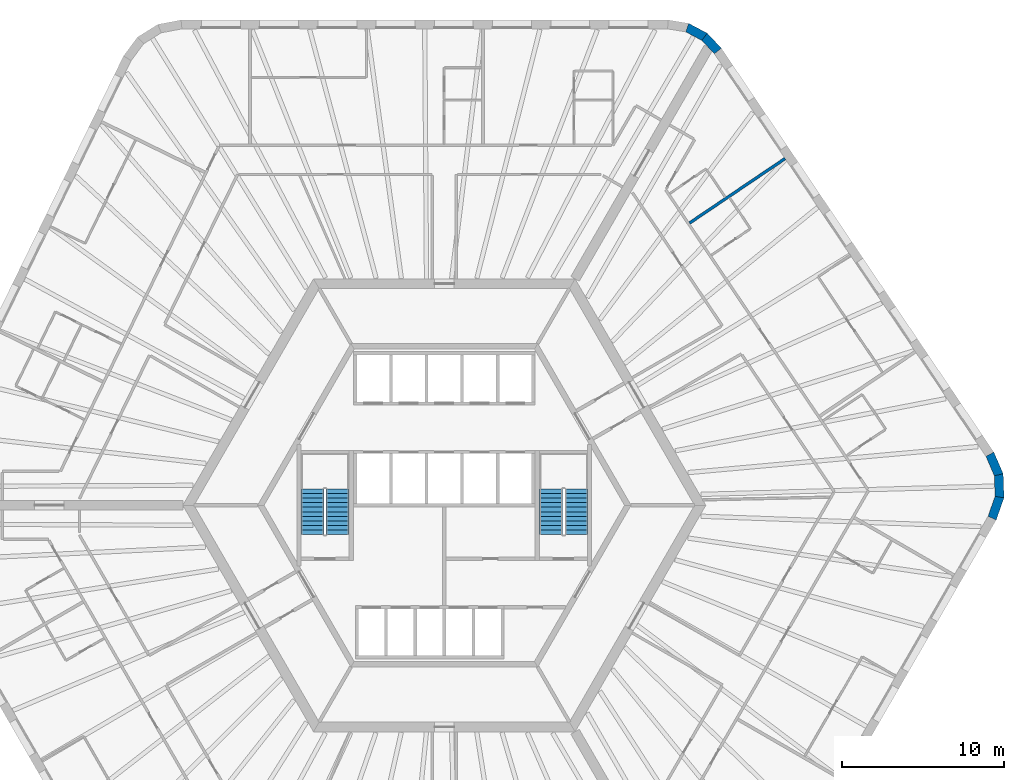
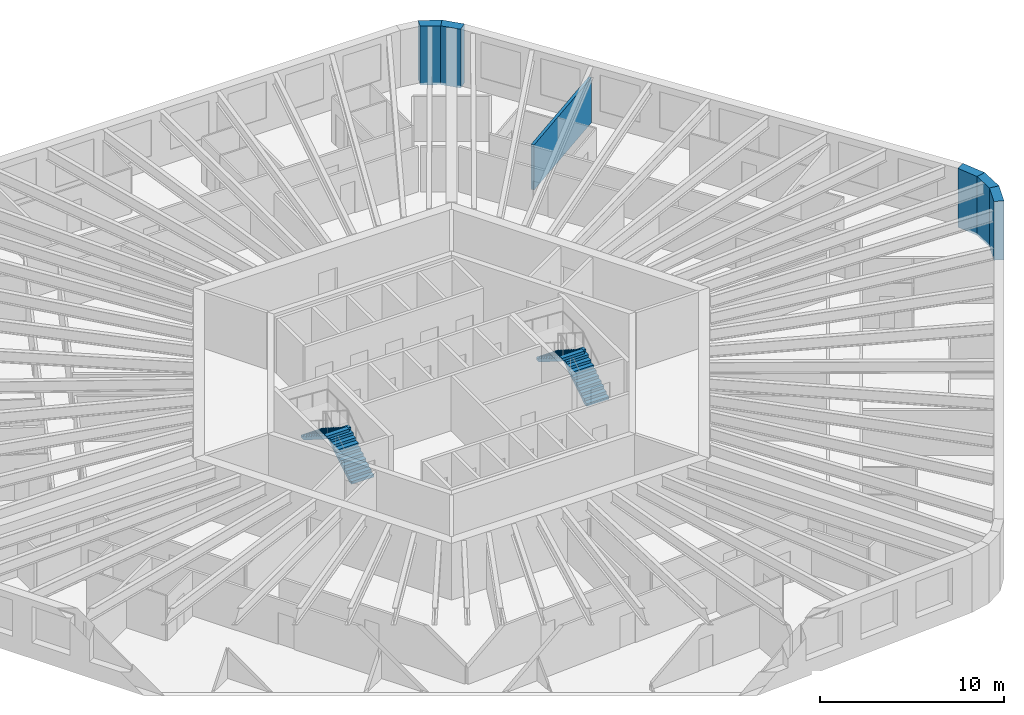
# One storey, part 11 of 12: 6 walls, 4 stair flights, 2 elements without a shape of their own.
"""IFC4 building model written with IfcOpenShell, lengths in metres."""

from ifc_helpers import new_model, si_unit, direction, frame, frame_2d, origin, place, context, subcontext, project, spatial, polyline, rectangle, outline, extrude, material, layer, layer_set, type_object, element, aggregate, save


model = new_model("IFC4")

# Units and contexts
model_context = context("Model", 3, precision=1e-05, world=origin(), true_north=direction((0.0, 1.0)))
body_context = subcontext(model_context, "Body", "Model", "MODEL_VIEW")
ifc_project = project(units=[si_unit("LENGTHUNIT", "METRE"), si_unit("AREAUNIT", "SQUARE_METRE"), si_unit("VOLUMEUNIT", "CUBIC_METRE"), si_unit("PLANEANGLEUNIT", "RADIAN"), si_unit("MASSUNIT", "GRAM", prefix="KILO")], contexts=[model_context])

# Site, building, storey
site_placement = place(None, origin())
site = spatial("IfcSite", under=ifc_project, at=site_placement, CompositionType="ELEMENT")
building_placement = place(site_placement, origin())
building = spatial("IfcBuilding", under=site, at=building_placement, Name="Tarnside Tower", CompositionType="ELEMENT")
storey_placement = place(building_placement, frame((0.0, 0.0, 96.0)))
storey = spatial("IfcBuildingStorey", under=building, at=storey_placement, Name="L21", CompositionType="ELEMENT", Elevation=96.0)

# Walls
ifc_material_1 = material(Name="Gypsum board partition on steel studs", Category="steel")
ifc_layer_1 = layer(ifc_material_1, 0.179931640625)
ifc_layer_set_1 = layer_set([ifc_layer_1], Name="Demising wall 180 EI 60")
wall_type_1 = type_object("IfcWallType", Name="Demising wall 180 EI 60", PredefinedType="PARTITIONING", material=ifc_layer_set_1)
wall_1_placement = place(storey_placement, frame((21.066162109375, 21.433349609375, 0.0), z_axis=(0.0, 0.0, 1.0), x_axis=(-0.829022625118, -0.559215063318, 0.0)))
element("IfcWall", 1, at=wall_1_placement, inside=storey, type_object=wall_type_1, Name="Demising wall 06158", PredefinedType="PARTITIONING", context=body_context, shape_type="SweptSolid", body=[
    extrude(rectangle(XDim=7.125, YDim=0.179931640625, at=frame_2d((3.5625, 0.0))), origin(), (0.0, 0.0, 1.0), 2.98779296875),
])
ifc_material_2 = material(Name="Facing brick", Category="masonry")
ifc_layer_2 = layer(ifc_material_2, 0.10205078125)
ifc_material_3 = material(Name="Concrete C60/75 precast", Category="concrete")
ifc_layer_3 = layer(ifc_material_3, 0.347900390625)
ifc_material_4 = material(Name="Mineral wool insulation")
ifc_layer_4 = layer(ifc_material_4, 0.10009765625)
ifc_layer_set_2 = layer_set([ifc_layer_2, ifc_layer_3, ifc_layer_4], Name="Tube wall 550 brick faced")
wall_type_2 = type_object("IfcWallType", Name="Tube wall 550 brick faced", PredefinedType="SOLIDWALL", material=ifc_layer_set_2)
wall_2_placement = place(storey_placement, frame((33.865966796875, -0.79248046875, -0.14990234375), z_axis=(0.0, 0.0, 1.0), x_axis=(0.33111537203, 0.943590276765, 0.0)))
element("IfcWall", 2, at=wall_2_placement, inside=storey, type_object=wall_type_2, Name="Tube wall L21 F5 chord 17", PredefinedType="SOLIDWALL", context=body_context, shape_type="SweptSolid", body=[
    extrude(outline(polyline([(-0.025634765625, -0.27490234375), (1.4306640625, -0.27490234375), (1.3271484375, 0.27490234375), (0.025634765625, 0.27490234375), (-0.025634765625, -0.27490234375)])), origin(), (0.0, 0.0, 1.0), 3.89990234375),
])
wall_3_placement = place(storey_placement, frame((34.322509765625, 0.508544921875, -0.14990234375), z_axis=(0.0, 0.0, 1.0), x_axis=(-0.034876908462, 0.999391615562, 0.0)))
element("IfcWall", 3, at=wall_3_placement, inside=storey, type_object=wall_type_2, Name="Tube wall L21 F5 chord 18", PredefinedType="SOLIDWALL", context=body_context, shape_type="SweptSolid", body=[
    extrude(outline(polyline([(-0.0517578125, -0.27490234375), (1.4306640625, -0.27490234375), (1.3271484375, 0.27490234375), (0.0517578125, 0.27490234375), (-0.0517578125, -0.27490234375)])), origin(), (0.0, 0.0, 1.0), 3.89990234375),
])
wall_4_placement = place(storey_placement, frame((34.2744140625, 1.88671875, -0.14990234375), z_axis=(0.0, 0.0, 1.0), x_axis=(-0.396161342798, 0.918180913803, 0.0)))
element("IfcWall", 4, at=wall_4_placement, inside=storey, type_object=wall_type_2, Name="Tube wall L21 F5 chord 19", PredefinedType="SOLIDWALL", context=body_context, shape_type="SweptSolid", body=[
    extrude(outline(polyline([(-0.0517578125, -0.27490234375), (1.40478515625, -0.27490234375), (1.353515625, 0.27490234375), (0.0517578125, 0.27490234375), (-0.0517578125, -0.27490234375)])), origin(), (0.0, 0.0, 1.0), 3.89990234375),
])
wall_5_placement = place(storey_placement, frame((16.91259765625, 28.0830078125, -0.14990234375), z_axis=(0.0, 0.0, 1.0), x_axis=(-0.686196220404, 0.727416488061, 0.0)))
element("IfcWall", 5, at=wall_5_placement, inside=storey, type_object=wall_type_2, Name="Tube wall L21 F6 chord 21", PredefinedType="SOLIDWALL", context=body_context, shape_type="SweptSolid", body=[
    extrude(outline(polyline([(-0.0224609375, -0.27490234375), (1.25341796875, -0.27490234375), (1.1630859375, 0.27490234375), (0.0224609375, 0.27490234375), (-0.0224609375, -0.27490234375)])), origin(), (0.0, 0.0, 1.0), 3.89990234375),
])
wall_6_placement = place(storey_placement, frame((16.08349609375, 28.9619140625, -0.14990234375), z_axis=(0.0, 0.0, 1.0), x_axis=(-0.882995347911, 0.469381737574, 0.0)))
element("IfcWall", 6, at=wall_6_placement, inside=storey, type_object=wall_type_2, Name="Tube wall L21 F6 chord 22", PredefinedType="SOLIDWALL", context=body_context, shape_type="SweptSolid", body=[
    extrude(outline(polyline([(-0.045166015625, -0.27490234375), (1.25341796875, -0.27490234375), (1.1630859375, 0.27490234375), (0.045166015625, 0.27490234375), (-0.045166015625, -0.27490234375)])), origin(), (0.0, 0.0, 1.0), 3.89990234375),
])

# Stair, stair flights
ifc_material_5 = material(Name="Concrete C40/50", Category="concrete")
stair_type = type_object("IfcStairType", Name="Exit stair 1400 clear", PredefinedType="HALF_TURN_STAIR", material=ifc_material_5)
stair_1_placement = place(storey_placement, origin())
stair_1 = element("IfcStair", 7, at=stair_1_placement, inside=storey, type_object=stair_type, Name="L21 Exit stair 1", PredefinedType="HALF_TURN_STAIR")
stair_flight_type = type_object("IfcStairFlightType", Name="Exit stair flight 1400", PredefinedType="STRAIGHT", material=ifc_material_5)
stair_flight_1_placement = place(storey_placement, frame((8.14990234375, -1.800048828125, 0.0), z_axis=(0.0, 0.0, 1.0), x_axis=(0.0, 1.0, 0.0)))
stair_flight_1 = element("IfcStairFlight", 8, at=stair_flight_1_placement, type_object=stair_flight_type, Name="ST1 flight 1", NumberOfRisers=11, NumberOfTreads=10, PredefinedType="STRAIGHT", RiserHeight=0.177272727, TreadLength=0.28, context=body_context, shape_type="SweptSolid", body=[
    extrude(outline(polyline([(0.0, 0.0), (0.0, 0.17724609375), (0.280029296875, 0.17724609375), (0.280029296875, 0.3544921875), (0.56005859375, 0.3544921875), (0.56005859375, 0.53173828125), (0.840087890625, 0.53173828125), (0.840087890625, 0.708984375), (1.1201171875, 0.708984375), (1.1201171875, 0.886474609375), (1.39990234375, 0.886474609375), (1.39990234375, 1.063720703125), (1.679931640625, 1.063720703125), (1.679931640625, 1.240966796875), (1.9599609375, 1.240966796875), (1.9599609375, 1.418212890625), (2.239990234375, 1.418212890625), (2.239990234375, 1.595458984375), (2.52001953125, 1.595458984375), (2.52001953125, 1.772705078125), (2.800048828125, 1.772705078125), (2.800048828125, 1.949951171875), (2.800048828125, 1.59521484375), (0.2802734375, 0.0), (0.0, 0.0)])), frame((0.0, 0.699951171875, 0.0), z_axis=(0.0, -1.0, 0.0), x_axis=(1.0, 0.0, 0.0)), (0.0, 0.0, 1.0), 1.39990234375),
])
stair_flight_2_placement = place(storey_placement, frame((6.60009765625, 1.0, 1.949951171875), z_axis=(0.0, 0.0, 1.0), x_axis=(0.0, -1.0, 0.0)))
stair_flight_2 = element("IfcStairFlight", 9, at=stair_flight_2_placement, type_object=stair_flight_type, Name="ST1 flight 2", NumberOfRisers=11, NumberOfTreads=10, PredefinedType="STRAIGHT", RiserHeight=0.177272727, TreadLength=0.28, context=body_context, shape_type="SweptSolid", body=[
    extrude(outline(polyline([(0.0, 0.0), (0.0, 0.17724609375), (0.280029296875, 0.17724609375), (0.280029296875, 0.3544921875), (0.56005859375, 0.3544921875), (0.56005859375, 0.53173828125), (0.840087890625, 0.53173828125), (0.840087890625, 0.708984375), (1.1201171875, 0.708984375), (1.1201171875, 0.886474609375), (1.39990234375, 0.886474609375), (1.39990234375, 1.063720703125), (1.679931640625, 1.063720703125), (1.679931640625, 1.240966796875), (1.9599609375, 1.240966796875), (1.9599609375, 1.418212890625), (2.239990234375, 1.418212890625), (2.239990234375, 1.595458984375), (2.52001953125, 1.595458984375), (2.52001953125, 1.772705078125), (2.800048828125, 1.772705078125), (2.800048828125, 1.949951171875), (2.800048828125, 1.59521484375), (0.2802734375, 0.0), (0.0, 0.0)])), frame((0.0, 0.699951171875, 0.0), z_axis=(0.0, -1.0, 0.0), x_axis=(1.0, 0.0, 0.0)), (0.0, 0.0, 1.0), 1.39990234375),
])
aggregate(stair_1, [stair_flight_1, stair_flight_2])

stair_2_placement = place(storey_placement, origin())
stair_2 = element("IfcStair", 10, at=stair_2_placement, inside=storey, type_object=stair_type, Name="L21 Exit stair 2", PredefinedType="HALF_TURN_STAIR")
stair_flight_3_placement = place(storey_placement, frame((-6.60009765625, -1.800048828125, 0.0), z_axis=(0.0, 0.0, 1.0), x_axis=(0.0, 1.0, 0.0)))
stair_flight_3 = element("IfcStairFlight", 11, at=stair_flight_3_placement, type_object=stair_flight_type, Name="ST2 flight 1", NumberOfRisers=11, NumberOfTreads=10, PredefinedType="STRAIGHT", RiserHeight=0.177272727, TreadLength=0.28, context=body_context, shape_type="SweptSolid", body=[
    extrude(outline(polyline([(0.0, 0.0), (0.0, 0.17724609375), (0.280029296875, 0.17724609375), (0.280029296875, 0.3544921875), (0.56005859375, 0.3544921875), (0.56005859375, 0.53173828125), (0.840087890625, 0.53173828125), (0.840087890625, 0.708984375), (1.1201171875, 0.708984375), (1.1201171875, 0.886474609375), (1.39990234375, 0.886474609375), (1.39990234375, 1.063720703125), (1.679931640625, 1.063720703125), (1.679931640625, 1.240966796875), (1.9599609375, 1.240966796875), (1.9599609375, 1.418212890625), (2.239990234375, 1.418212890625), (2.239990234375, 1.595458984375), (2.52001953125, 1.595458984375), (2.52001953125, 1.772705078125), (2.800048828125, 1.772705078125), (2.800048828125, 1.949951171875), (2.800048828125, 1.59521484375), (0.2802734375, 0.0), (0.0, 0.0)])), frame((0.0, 0.699951171875, 0.0), z_axis=(0.0, -1.0, 0.0), x_axis=(1.0, 0.0, 0.0)), (0.0, 0.0, 1.0), 1.39990234375),
])
stair_flight_4_placement = place(storey_placement, frame((-8.14990234375, 1.0, 1.949951171875), z_axis=(0.0, 0.0, 1.0), x_axis=(0.0, -1.0, 0.0)))
stair_flight_4 = element("IfcStairFlight", 12, at=stair_flight_4_placement, type_object=stair_flight_type, Name="ST2 flight 2", NumberOfRisers=11, NumberOfTreads=10, PredefinedType="STRAIGHT", RiserHeight=0.177272727, TreadLength=0.28, context=body_context, shape_type="SweptSolid", body=[
    extrude(outline(polyline([(0.0, 0.0), (0.0, 0.17724609375), (0.280029296875, 0.17724609375), (0.280029296875, 0.3544921875), (0.56005859375, 0.3544921875), (0.56005859375, 0.53173828125), (0.840087890625, 0.53173828125), (0.840087890625, 0.708984375), (1.1201171875, 0.708984375), (1.1201171875, 0.886474609375), (1.39990234375, 0.886474609375), (1.39990234375, 1.063720703125), (1.679931640625, 1.063720703125), (1.679931640625, 1.240966796875), (1.9599609375, 1.240966796875), (1.9599609375, 1.418212890625), (2.239990234375, 1.418212890625), (2.239990234375, 1.595458984375), (2.52001953125, 1.595458984375), (2.52001953125, 1.772705078125), (2.800048828125, 1.772705078125), (2.800048828125, 1.949951171875), (2.800048828125, 1.59521484375), (0.2802734375, 0.0), (0.0, 0.0)])), frame((0.0, 0.699951171875, 0.0), z_axis=(0.0, -1.0, 0.0), x_axis=(1.0, 0.0, 0.0)), (0.0, 0.0, 1.0), 1.39990234375),
])
aggregate(stair_2, [stair_flight_3, stair_flight_4])

save(model, "model.ifc")
